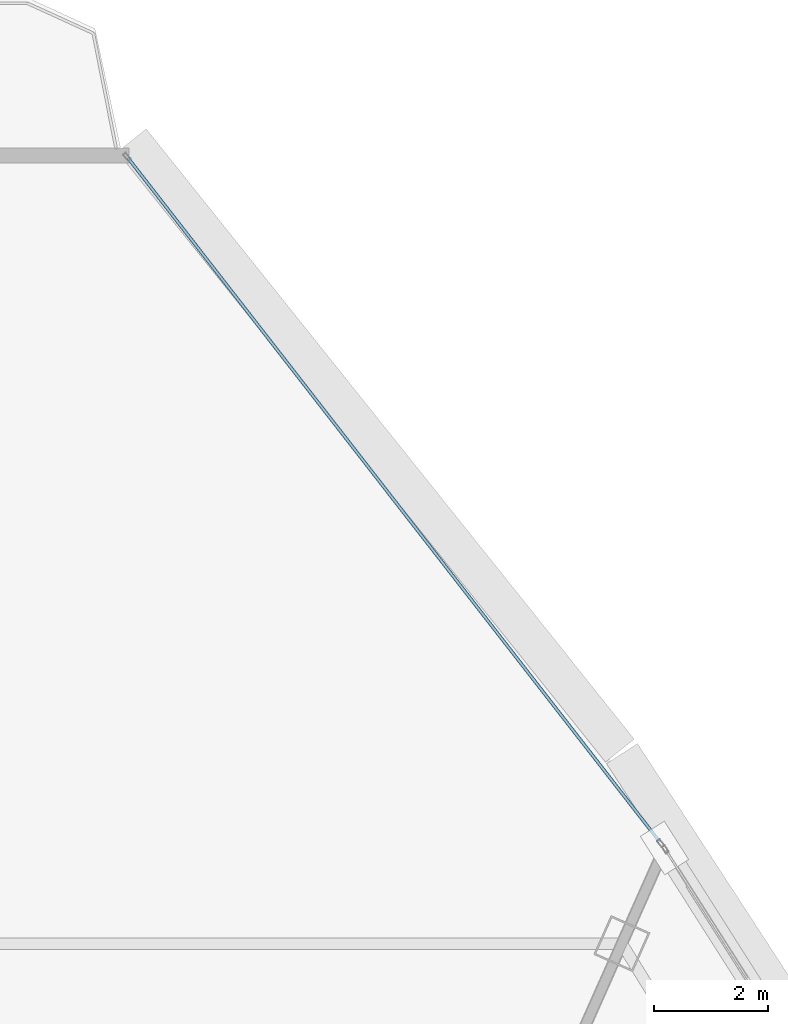
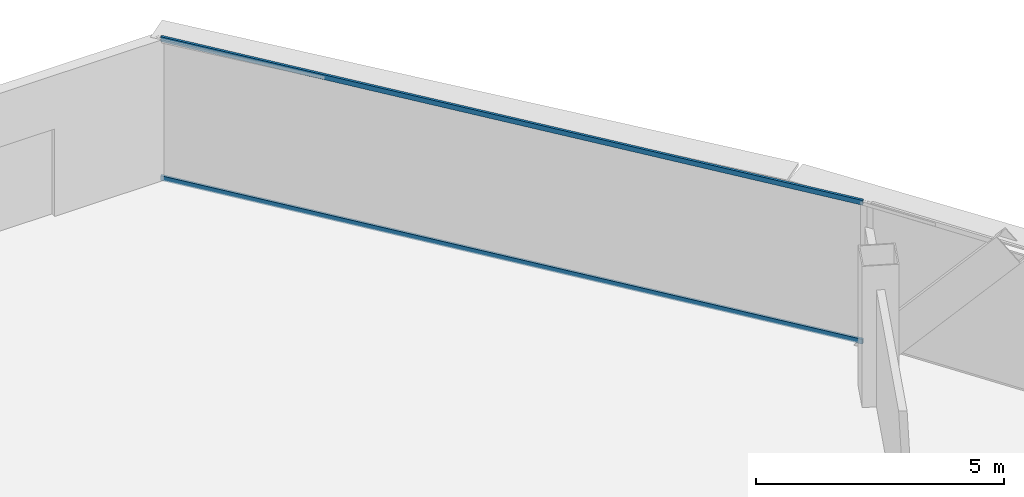
# One storey, part 26 of 35: 2 members, 1 element without a shape of its own.
"""IFC4 building model written with IfcOpenShell, lengths in metres."""

from ifc_helpers import new_model, si_unit, direction, frame, origin, origin_2d, place, context, subcontext, project, spatial, hollow_rectangle, extrude, source, transform, mapped, material, layer, layer_set, material_profile, profile_set, type_object, element, aggregate, save


model = new_model("IFC4")

# Units and contexts
model_context = context("Model", 3, precision=1e-05, world=origin(), true_north=direction((0.0, 1.0)))
body_context = subcontext(model_context, "Body", "Model", "MODEL_VIEW")
ifc_project = project(units=[si_unit("LENGTHUNIT", "METRE"), si_unit("AREAUNIT", "SQUARE_METRE"), si_unit("VOLUMEUNIT", "CUBIC_METRE"), si_unit("PLANEANGLEUNIT", "RADIAN"), si_unit("MASSUNIT", "GRAM", prefix="KILO"), si_unit("THERMODYNAMICTEMPERATUREUNIT", "KELVIN"), si_unit("POWERUNIT", "WATT")], contexts=[model_context])

# Site, building, storey
site_placement = place(None, origin())
site = spatial("IfcSite", under=ifc_project, at=site_placement, CompositionType="ELEMENT")
building_placement = place(site_placement, origin())
building = spatial("IfcBuilding", under=site, at=building_placement, Name="Yunzhuo Pagoda Commons", CompositionType="ELEMENT")
storey_placement = place(building_placement, frame((0.0, 0.0, 303.669921875)))
storey = spatial("IfcBuildingStorey", under=building, at=storey_placement, Name="L76", CompositionType="ELEMENT", Elevation=303.669921875)

# Curtain wall, members
ifc_material = material(Name="Anodized aluminium 6063-T6", Category="aluminium")
ifc_layer = layer(ifc_material, 0.139892578125)
ifc_layer_set = layer_set([ifc_layer], Name="Anodized aluminium 6063-T6")
curtain_wall_type = type_object("IfcCurtainWallType", Name="CW-HI High-Zone Ribbon Curtain Wall", PredefinedType="NOTDEFINED", material=ifc_layer_set)
curtain_wall_placement = place(storey_placement, origin())
curtain_wall = element("IfcCurtainWall", 1, at=curtain_wall_placement, inside=storey, type_object=curtain_wall_type, Name="L76 curtain wall CW-L76-F2B5", PredefinedType="NOTDEFINED")
ifc_material_profile = material_profile(ifc_material, hollow_rectangle(XDim=0.054931640625, YDim=0.1201171875, WallThickness=0.00341796875, at=origin_2d()), Name="Anodized aluminium 6063-T6")
ifc_profile_set = profile_set([ifc_material_profile], Name="Anodized aluminium 6063-T6")
member_type = type_object("IfcMemberType", Name="CW-HI-T Transom RHS 120x55x3.5", PredefinedType="USERDEFINED", material=ifc_profile_set)
shared_shape = source(origin(), body_context, "Body", "SweptSolid", [
    extrude(hollow_rectangle(XDim=0.054931640625, YDim=0.1201171875, WallThickness=0.00341796875, at=origin_2d()), origin(), (0.0, 0.0, 1.0), 15.25146484375),
])
member_1_placement = place(storey_placement, frame((60.78173828125, 62.70068359375, 0.027587890625), z_axis=(-0.613841977514, 0.789428924376, 0.0), x_axis=(-0.789428924376, -0.613841977514, 0.0)))
member_1 = element("IfcMember", 2, at=member_1_placement, type_object=member_type, Name="CW transom 1.1", ObjectType="TRANSOM", PredefinedType="USERDEFINED", context=body_context, shape_type="MappedRepresentation", body=[
    mapped(shared_shape, transform((0.0, 0.0, 0.0), scale=1.0)),
])
member_2_placement = place(storey_placement, frame((60.78173828125, 62.70068359375, 3.442626953125), z_axis=(-0.613841977514, 0.789428924376, 0.0), x_axis=(-0.789428924376, -0.613841977514, 0.0)))
member_2 = element("IfcMember", 3, at=member_2_placement, type_object=member_type, Name="CW transom 1.2", ObjectType="TRANSOM", PredefinedType="USERDEFINED", context=body_context, shape_type="MappedRepresentation", body=[
    mapped(shared_shape, transform((0.0, 0.0, 0.0), scale=1.0)),
])
aggregate(curtain_wall, [member_1, member_2])

save(model, "model.ifc")
